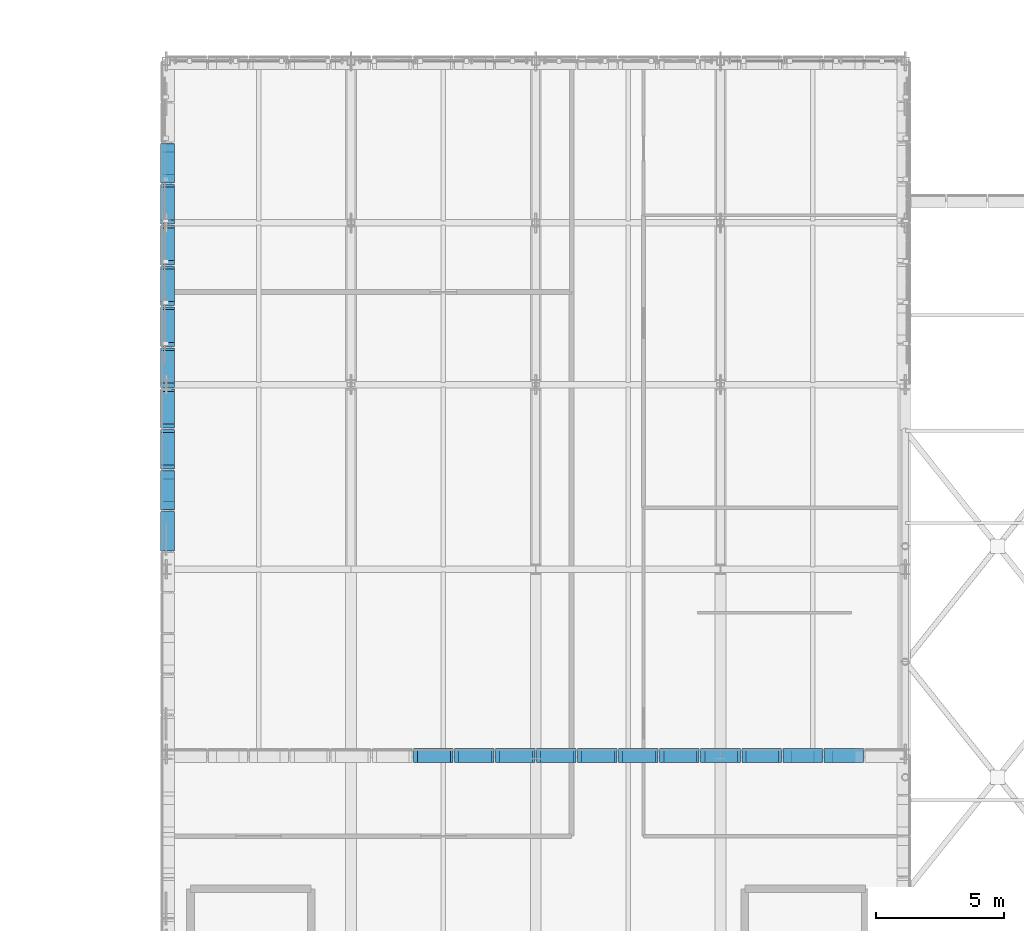
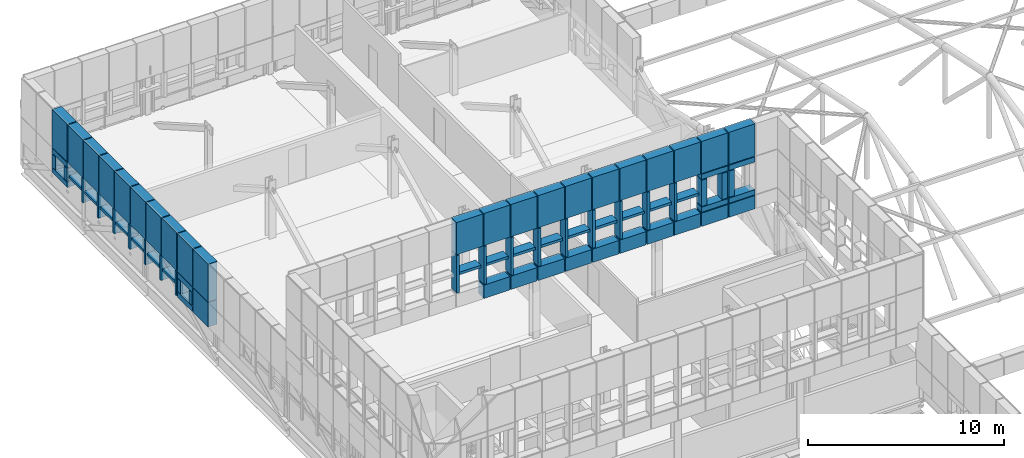
# One storey, part 70 of 96: 79 discrete accessories.
"""IFC4 building model written with IfcOpenShell, lengths in metres."""

import ifcopenshell
import ifcopenshell.guid

model = None  # the IFC model being written
_history = None  # IfcOwnerHistory: only IFC2X3 demands one
_inside = {}  # id of a spatial element -> (the spatial element, [elements in it])
_under = {}  # id of a project, library or spatial element -> (it, [spatial elements below it])
_declared = {}  # id of a project -> (the project, [libraries it declares])
_typed = {}  # id of a type object -> (the type object, [elements of that type])
_made_of = {}  # id of a material, layer set ... -> (it, [elements and type objects made of it])


def new_model(schema):
    """Start an empty IFC model of exactly this schema.

    Asked for "IFC4X3", IfcOpenShell would pick the latest addendum, in which some entities
    have other attributes; the version numbers below select the first issue.
    IFC2X3 requires an IfcOwnerHistory on every rooted entity: one is made here for all.
    """
    global model, _history
    if schema == "IFC4X3":
        model = ifcopenshell.file(schema_version=(4, 3, 0, 0))
    else:
        model = ifcopenshell.file(schema=schema)
    _inside.clear()
    _under.clear()
    _declared.clear()
    _typed.clear()
    _made_of.clear()
    _history = None
    if model.schema == "IFC2X3":
        org = make("IfcOrganization", Name="unknown")
        user = make(
            "IfcPersonAndOrganization",
            ThePerson=make("IfcPerson", FamilyName="unknown"),
            TheOrganization=org,
        )
        app = make(
            "IfcApplication",
            ApplicationDeveloper=org,
            Version="unknown",
            ApplicationFullName="unknown",
            ApplicationIdentifier="unknown",
        )
        _history = make(
            "IfcOwnerHistory",
            OwningUser=user,
            OwningApplication=app,
            ChangeAction="ADDED",
            CreationDate=0,
        )
    return model


def make(cls, **values):
    """One entity of the class cls with the attributes given. An attribute that is None is left unset."""
    return model.create_entity(
        cls, **{name: value for name, value in values.items() if value is not None}
    )


def rooted(cls, **values):
    """An entity with a GlobalId (a new one), such as an element, a storey or a relation."""
    return make(cls, GlobalId=ifcopenshell.guid.new(), OwnerHistory=_history, **values)


def si_unit(unit_type, name, prefix=None):
    """IfcSIUnit, for example si_unit("LENGTHUNIT", "METRE", prefix="MILLI")."""
    return make("IfcSIUnit", UnitType=unit_type, Prefix=prefix, Name=name)


def assignment(units):
    """IfcUnitAssignment: the units of a project."""
    return None if units is None else make("IfcUnitAssignment", Units=units)


def point(xyz):
    """IfcCartesianPoint."""
    return None if xyz is None else make("IfcCartesianPoint", Coordinates=xyz)


def direction(xyz):
    """IfcDirection."""
    return None if xyz is None else make("IfcDirection", DirectionRatios=xyz)


def frame(location, z_axis=None, x_axis=None):
    """IfcAxis2Placement3D, a coordinate frame: its origin and axes. An axis left out is left unset."""
    return make(
        "IfcAxis2Placement3D",
        Location=point(location),
        Axis=direction(z_axis),
        RefDirection=direction(x_axis),
    )


def frame_2d(location, x_axis=None):
    """IfcAxis2Placement2D, a coordinate frame in the plane: its origin and x axis."""
    return make(
        "IfcAxis2Placement2D", Location=point(location), RefDirection=direction(x_axis)
    )


def origin():
    """The frame at (0, 0, 0) with its axes left unset."""
    return frame((0.0, 0.0, 0.0))


def origin_2d():
    """The frame at (0, 0) in the plane with its x axis left unset."""
    return frame_2d((0.0, 0.0))


def place(relative_to, where):
    """IfcLocalPlacement: puts the frame where relative to a parent placement (None: the world)."""
    return make(
        "IfcLocalPlacement", PlacementRelTo=relative_to, RelativePlacement=where
    )


def context(
    kind, dimensions, precision=None, world=None, true_north=None, identifier=None
):
    """IfcGeometricRepresentationContext, for example the 3D "Model" context."""
    return make(
        "IfcGeometricRepresentationContext",
        ContextIdentifier=identifier,
        ContextType=kind,
        CoordinateSpaceDimension=dimensions,
        Precision=precision,
        WorldCoordinateSystem=world,
        TrueNorth=true_north,
    )


def subcontext(parent, identifier, kind, view, scale=None):
    """IfcGeometricRepresentationSubContext, for example "Body" below "Model"."""
    return make(
        "IfcGeometricRepresentationSubContext",
        ContextIdentifier=identifier,
        ContextType=kind,
        ParentContext=parent,
        TargetScale=scale,
        TargetView=view,
    )


def project(units=None, contexts=None):
    """IfcProject with its units and contexts."""
    return rooted(
        "IfcProject",
        Name="project",
        RepresentationContexts=contexts,
        UnitsInContext=assignment(units),
    )


def spatial(cls, under=None, at=None, **own):
    """A site, building, storey or space (cls), placed at a placement, below another one or the project."""
    s = rooted(cls, ObjectPlacement=at, **own)
    if under is not None:
        _under.setdefault(under.id(), (under, []))[1].append(s)
    return s


def profile(cls, at=None, kind="AREA", **sizes):
    """A parametric profile (cls). Its sizes go by their IFC names, for example OverallWidth=200.0."""
    return make(cls, ProfileType=kind, Position=at, **sizes)


def rectangle(**sizes):
    """IfcRectangleProfileDef."""
    return profile("IfcRectangleProfileDef", **sizes)


def extrude(swept, where, along, depth):
    """IfcExtrudedAreaSolid: the profile swept, set in the frame where, extruded along a direction by depth."""
    return make(
        "IfcExtrudedAreaSolid",
        SweptArea=swept,
        Position=where,
        ExtrudedDirection=direction(along),
        Depth=depth,
    )


def shape(context_of_items, identifier, shape_type, items):
    """IfcShapeRepresentation: the items that make up one representation, for example the "Body"."""
    return make(
        "IfcShapeRepresentation",
        ContextOfItems=context_of_items,
        RepresentationIdentifier=identifier,
        RepresentationType=shape_type,
        Items=items,
    )


def material(Name=None, Category=None):
    """IfcMaterial."""
    return make("IfcMaterial", Name=Name, Category=Category)


def made_of(thing, what):
    """Note that an element or type object is made of a material, layer set ...; save() writes the relation."""
    if what is not None:
        _made_of.setdefault(what.id(), (what, []))[1].append(thing)
    return thing


def type_object(cls, material=None, **own):
    """A type object (cls), such as IfcWallType, which elements share."""
    return made_of(rooted(cls, **own), material)


def element(
    cls,
    number,
    at=None,
    inside=None,
    cuts=None,
    type_object=None,
    material=None,
    context=None,
    identifier="Body",
    shape_type=None,
    held_by="IfcProductDefinitionShape",
    body=None,
    shapes=None,
    **own,
):
    """One element of the class cls, such as IfcWall. Its Tag is "e" and its number.

    at: its placement. inside: the storey or other place that contains it. cuts: it is an
    opening in that element (IfcRelVoidsElement). A single representation is given by context,
    identifier, shape_type and body (its items); several are given by shapes. held_by: the class
    of the entity that holds the representations. save() writes the other relations.
    """
    e = rooted(cls, Tag="e%d" % number, ObjectPlacement=at, **own)
    if body is not None:
        shapes = [shape(context, identifier, shape_type, body)]
    if shapes is not None:
        e.Representation = make(held_by, Representations=shapes)
    if inside is not None:
        _inside.setdefault(inside.id(), (inside, []))[1].append(e)
    if cuts is not None:
        rooted(
            "IfcRelVoidsElement", RelatingBuildingElement=cuts, RelatedOpeningElement=e
        )
    if type_object is not None:
        _typed.setdefault(type_object.id(), (type_object, []))[1].append(e)
    return made_of(e, material)


def aggregate(whole, parts):
    """IfcRelAggregates: a whole, such as a stair, and the parts it consists of."""
    return rooted("IfcRelAggregates", RelatingObject=whole, RelatedObjects=parts)


def save(model, path):
    """Write the relations noted so far, then the file.

    IfcRelAggregates (storeys below a building ...), IfcRelContainedInSpatialStructure (elements
    in a storey), IfcRelDefinesByType, IfcRelAssociatesMaterial and IfcRelDeclares: one each for
    every whole, place, type object, material and project.
    """
    for whole, parts in _under.values():
        aggregate(whole, parts)
    for where, things in _inside.values():
        rooted(
            "IfcRelContainedInSpatialStructure",
            RelatedElements=things,
            RelatingStructure=where,
        )
    for kind, things in _typed.values():
        rooted("IfcRelDefinesByType", RelatedObjects=things, RelatingType=kind)
    for what, things in _made_of.values():
        rooted("IfcRelAssociatesMaterial", RelatedObjects=things, RelatingMaterial=what)
    for by, libraries in _declared.values():
        rooted("IfcRelDeclares", RelatingContext=by, RelatedDefinitions=libraries)
    model.write(path)


model = new_model("IFC4")

# Units and contexts
model_context = context("Model", 3, precision=1e-05, world=origin(), true_north=direction((0.0, 1.0)))
body_context = subcontext(model_context, "Body", "Model", "MODEL_VIEW")
ifc_project = project(units=[si_unit("LENGTHUNIT", "METRE"), si_unit("AREAUNIT", "SQUARE_METRE"), si_unit("VOLUMEUNIT", "CUBIC_METRE"), si_unit("PLANEANGLEUNIT", "RADIAN"), si_unit("MASSUNIT", "GRAM", prefix="KILO")], contexts=[model_context])

# Site, building, storey
site_placement = place(None, origin())
site = spatial("IfcSite", under=ifc_project, at=site_placement, CompositionType="ELEMENT")
building_placement = place(site_placement, origin())
building = spatial("IfcBuilding", under=site, at=building_placement, Name="Yarey Park Central Fire Station", CompositionType="ELEMENT")
storey_placement = place(building_placement, frame((0.0, 0.0, 14.39990234375)))
storey = spatial("IfcBuildingStorey", under=building, at=storey_placement, Name="L04", CompositionType="ELEMENT", Elevation=14.39990234375)

# Discrete accessories
ifc_material = material(Name="Stainless Steel AISI 316L", Category="steel")
discrete_accessory_type = type_object("IfcDiscreteAccessoryType", Name="ENV_BRK_SS1", PredefinedType="BRACKET", material=ifc_material)
discrete_accessory_1_placement = place(storey_placement, frame((28.85009765625, 80.6884765625, 0.875), z_axis=(0.0, 0.0, 1.0), x_axis=(1.0, 0.0, 0.0)))
element("IfcDiscreteAccessory", 1, at=discrete_accessory_1_placement, inside=storey, type_object=discrete_accessory_type, Name="BRK_PERF_L04_0700", PredefinedType="BRACKET", context=body_context, shape_type="SweptSolid", body=[
    extrude(rectangle(XDim=0.5400390625, YDim=1.5322265625, at=origin_2d()), origin(), (0.0, 0.0, 1.0), 1.52001953125),
])
discrete_accessory_2_placement = place(storey_placement, frame((28.85009765625, 80.6884765625, 2.445068359375), z_axis=(0.0, 0.0, 1.0), x_axis=(1.0, 0.0, 0.0)))
element("IfcDiscreteAccessory", 2, at=discrete_accessory_2_placement, inside=storey, type_object=discrete_accessory_type, Name="BRK_PERF_L04_0701", PredefinedType="BRACKET", context=body_context, shape_type="SweptSolid", body=[
    extrude(rectangle(XDim=0.5400390625, YDim=1.5322265625, at=origin_2d()), origin(), (0.0, 0.0, 1.0), 2.35009765625),
])
for number, where, z_axis, x_axis, name in (
    (3, (28.85009765625, 82.28076171875, 0.8701171875), (0.0, 0.0, 1.0), (1.0, 0.0, 0.0), "BRK_PERF_L04_0708"),
    (4, (28.85009765625, 82.28076171875, 2.080078125), (0.0, 0.0, 1.0), (1.0, 0.0, 0.0), "BRK_PERF_L04_0709"),
):
    element("IfcDiscreteAccessory", number, at=place(storey_placement, frame(where, z_axis=z_axis, x_axis=x_axis)), inside=storey, type_object=discrete_accessory_type, Name=name, PredefinedType="BRACKET", context=body_context, shape_type="SweptSolid", body=[
        extrude(rectangle(XDim=0.5400390625, YDim=1.5322265625, at=origin_2d()), origin(), (0.0, 0.0, 1.0), 0.320068359375),
    ])
for number, where, z_axis, x_axis, name in (
    (5, (28.85009765625, 81.684814453125, 1.23486328125), (0.0, 0.0, 1.0), (1.0, 0.0, 0.0), "BRK_PERF_L04_0710"),
    (6, (28.85009765625, 82.876953125, 1.23486328125), (0.0, 0.0, 1.0), (1.0, 0.0, 0.0), "BRK_PERF_L04_0711"),
):
    element("IfcDiscreteAccessory", number, at=place(storey_placement, frame(where, z_axis=z_axis, x_axis=x_axis)), inside=storey, type_object=discrete_accessory_type, Name=name, PredefinedType="BRACKET", context=body_context, shape_type="SweptSolid", body=[
        extrude(rectangle(XDim=0.5400390625, YDim=0.320068359375, at=origin_2d()), origin(), (0.0, 0.0, 1.0), 0.800048828125),
    ])
discrete_accessory_3_placement = place(storey_placement, frame((28.85009765625, 82.28076171875, 2.445068359375), z_axis=(0.0, 0.0, 1.0), x_axis=(1.0, 0.0, 0.0)))
element("IfcDiscreteAccessory", 7, at=discrete_accessory_3_placement, inside=storey, type_object=discrete_accessory_type, Name="BRK_PERF_L04_0712", PredefinedType="BRACKET", context=body_context, shape_type="SweptSolid", body=[
    extrude(rectangle(XDim=0.5400390625, YDim=1.5322265625, at=origin_2d()), origin(), (0.0, 0.0, 1.0), 2.35009765625),
])
discrete_accessory_4_placement = place(storey_placement, frame((28.85009765625, 83.18701171875, 0.875), z_axis=(0.0, 0.0, 1.0), x_axis=(1.0, 0.0, 0.0)))
element("IfcDiscreteAccessory", 8, at=discrete_accessory_4_placement, inside=storey, type_object=discrete_accessory_type, Name="BRK_PERF_L04_0717", PredefinedType="BRACKET", context=body_context, shape_type="SweptSolid", body=[
    extrude(rectangle(XDim=0.5400390625, YDim=0.159912109375, at=origin_2d()), origin(), (0.0, 0.0, 1.0), 1.52001953125),
])
discrete_accessory_5_placement = place(storey_placement, frame((28.85009765625, 83.873046875, 1.55517578125), z_axis=(0.0, 0.0, 1.0), x_axis=(1.0, 0.0, 0.0)))
element("IfcDiscreteAccessory", 9, at=discrete_accessory_5_placement, inside=storey, type_object=discrete_accessory_type, Name="BRK_PERF_L04_0718", PredefinedType="BRACKET", context=body_context, shape_type="SweptSolid", body=[
    extrude(rectangle(XDim=0.5400390625, YDim=1.332275390625, at=origin_2d()), origin(), (0.0, 0.0, 1.0), 0.159912109375),
])
discrete_accessory_6_placement = place(storey_placement, frame((28.85009765625, 83.873046875, 2.445068359375), z_axis=(0.0, 0.0, 1.0), x_axis=(1.0, 0.0, 0.0)))
element("IfcDiscreteAccessory", 10, at=discrete_accessory_6_placement, inside=storey, type_object=discrete_accessory_type, Name="BRK_PERF_L04_0719", PredefinedType="BRACKET", context=body_context, shape_type="SweptSolid", body=[
    extrude(rectangle(XDim=0.5400390625, YDim=1.5322265625, at=origin_2d()), origin(), (0.0, 0.0, 1.0), 2.35009765625),
])
discrete_accessory_7_placement = place(storey_placement, frame((28.85009765625, 84.779296875, 0.875), z_axis=(0.0, 0.0, 1.0), x_axis=(1.0, 0.0, 0.0)))
element("IfcDiscreteAccessory", 11, at=discrete_accessory_7_placement, inside=storey, type_object=discrete_accessory_type, Name="BRK_PERF_L04_0724", PredefinedType="BRACKET", context=body_context, shape_type="SweptSolid", body=[
    extrude(rectangle(XDim=0.5400390625, YDim=0.159912109375, at=origin_2d()), origin(), (0.0, 0.0, 1.0), 1.52001953125),
])
discrete_accessory_8_placement = place(storey_placement, frame((28.85009765625, 85.46533203125, 1.55517578125), z_axis=(0.0, 0.0, 1.0), x_axis=(1.0, 0.0, 0.0)))
element("IfcDiscreteAccessory", 12, at=discrete_accessory_8_placement, inside=storey, type_object=discrete_accessory_type, Name="BRK_PERF_L04_0725", PredefinedType="BRACKET", context=body_context, shape_type="SweptSolid", body=[
    extrude(rectangle(XDim=0.5400390625, YDim=1.332275390625, at=origin_2d()), origin(), (0.0, 0.0, 1.0), 0.159912109375),
])
discrete_accessory_9_placement = place(storey_placement, frame((28.85009765625, 85.46533203125, 2.445068359375), z_axis=(0.0, 0.0, 1.0), x_axis=(1.0, 0.0, 0.0)))
element("IfcDiscreteAccessory", 13, at=discrete_accessory_9_placement, inside=storey, type_object=discrete_accessory_type, Name="BRK_PERF_L04_0726", PredefinedType="BRACKET", context=body_context, shape_type="SweptSolid", body=[
    extrude(rectangle(XDim=0.5400390625, YDim=1.5322265625, at=origin_2d()), origin(), (0.0, 0.0, 1.0), 2.35009765625),
])
discrete_accessory_10_placement = place(storey_placement, frame((28.85009765625, 86.37158203125, 0.875), z_axis=(0.0, 0.0, 1.0), x_axis=(1.0, 0.0, 0.0)))
element("IfcDiscreteAccessory", 14, at=discrete_accessory_10_placement, inside=storey, type_object=discrete_accessory_type, Name="BRK_PERF_L04_0731", PredefinedType="BRACKET", context=body_context, shape_type="SweptSolid", body=[
    extrude(rectangle(XDim=0.5400390625, YDim=0.159912109375, at=origin_2d()), origin(), (0.0, 0.0, 1.0), 1.52001953125),
])
discrete_accessory_11_placement = place(storey_placement, frame((28.85009765625, 87.0576171875, 1.55517578125), z_axis=(0.0, 0.0, 1.0), x_axis=(1.0, 0.0, 0.0)))
element("IfcDiscreteAccessory", 15, at=discrete_accessory_11_placement, inside=storey, type_object=discrete_accessory_type, Name="BRK_PERF_L04_0732", PredefinedType="BRACKET", context=body_context, shape_type="SweptSolid", body=[
    extrude(rectangle(XDim=0.5400390625, YDim=1.332275390625, at=origin_2d()), origin(), (0.0, 0.0, 1.0), 0.159912109375),
])
discrete_accessory_12_placement = place(storey_placement, frame((28.85009765625, 87.0576171875, 2.445068359375), z_axis=(0.0, 0.0, 1.0), x_axis=(1.0, 0.0, 0.0)))
element("IfcDiscreteAccessory", 16, at=discrete_accessory_12_placement, inside=storey, type_object=discrete_accessory_type, Name="BRK_PERF_L04_0733", PredefinedType="BRACKET", context=body_context, shape_type="SweptSolid", body=[
    extrude(rectangle(XDim=0.5400390625, YDim=1.5322265625, at=origin_2d()), origin(), (0.0, 0.0, 1.0), 2.35009765625),
])
discrete_accessory_13_placement = place(storey_placement, frame((28.85009765625, 87.9638671875, 0.875), z_axis=(0.0, 0.0, 1.0), x_axis=(1.0, 0.0, 0.0)))
element("IfcDiscreteAccessory", 17, at=discrete_accessory_13_placement, inside=storey, type_object=discrete_accessory_type, Name="BRK_PERF_L04_0738", PredefinedType="BRACKET", context=body_context, shape_type="SweptSolid", body=[
    extrude(rectangle(XDim=0.5400390625, YDim=0.159912109375, at=origin_2d()), origin(), (0.0, 0.0, 1.0), 1.52001953125),
])
discrete_accessory_14_placement = place(storey_placement, frame((28.85009765625, 88.64990234375, 1.55517578125), z_axis=(0.0, 0.0, 1.0), x_axis=(1.0, 0.0, 0.0)))
element("IfcDiscreteAccessory", 18, at=discrete_accessory_14_placement, inside=storey, type_object=discrete_accessory_type, Name="BRK_PERF_L04_0739", PredefinedType="BRACKET", context=body_context, shape_type="SweptSolid", body=[
    extrude(rectangle(XDim=0.5400390625, YDim=1.332275390625, at=origin_2d()), origin(), (0.0, 0.0, 1.0), 0.159912109375),
])
discrete_accessory_15_placement = place(storey_placement, frame((28.85009765625, 88.64990234375, 2.445068359375), z_axis=(0.0, 0.0, 1.0), x_axis=(1.0, 0.0, 0.0)))
element("IfcDiscreteAccessory", 19, at=discrete_accessory_15_placement, inside=storey, type_object=discrete_accessory_type, Name="BRK_PERF_L04_0740", PredefinedType="BRACKET", context=body_context, shape_type="SweptSolid", body=[
    extrude(rectangle(XDim=0.5400390625, YDim=1.5322265625, at=origin_2d()), origin(), (0.0, 0.0, 1.0), 2.35009765625),
])
discrete_accessory_16_placement = place(storey_placement, frame((28.85009765625, 89.55615234375, 0.875), z_axis=(0.0, 0.0, 1.0), x_axis=(1.0, 0.0, 0.0)))
element("IfcDiscreteAccessory", 20, at=discrete_accessory_16_placement, inside=storey, type_object=discrete_accessory_type, Name="BRK_PERF_L04_0745", PredefinedType="BRACKET", context=body_context, shape_type="SweptSolid", body=[
    extrude(rectangle(XDim=0.5400390625, YDim=0.159912109375, at=origin_2d()), origin(), (0.0, 0.0, 1.0), 1.52001953125),
])
discrete_accessory_17_placement = place(storey_placement, frame((28.85009765625, 90.2421875, 1.55517578125), z_axis=(0.0, 0.0, 1.0), x_axis=(1.0, 0.0, 0.0)))
element("IfcDiscreteAccessory", 21, at=discrete_accessory_17_placement, inside=storey, type_object=discrete_accessory_type, Name="BRK_PERF_L04_0746", PredefinedType="BRACKET", context=body_context, shape_type="SweptSolid", body=[
    extrude(rectangle(XDim=0.5400390625, YDim=1.332275390625, at=origin_2d()), origin(), (0.0, 0.0, 1.0), 0.159912109375),
])
discrete_accessory_18_placement = place(storey_placement, frame((28.85009765625, 90.2421875, 2.445068359375), z_axis=(0.0, 0.0, 1.0), x_axis=(1.0, 0.0, 0.0)))
element("IfcDiscreteAccessory", 22, at=discrete_accessory_18_placement, inside=storey, type_object=discrete_accessory_type, Name="BRK_PERF_L04_0747", PredefinedType="BRACKET", context=body_context, shape_type="SweptSolid", body=[
    extrude(rectangle(XDim=0.5400390625, YDim=1.5322265625, at=origin_2d()), origin(), (0.0, 0.0, 1.0), 2.35009765625),
])
discrete_accessory_19_placement = place(storey_placement, frame((28.85009765625, 91.1484375, 0.875), z_axis=(0.0, 0.0, 1.0), x_axis=(1.0, 0.0, 0.0)))
element("IfcDiscreteAccessory", 23, at=discrete_accessory_19_placement, inside=storey, type_object=discrete_accessory_type, Name="BRK_PERF_L04_0752", PredefinedType="BRACKET", context=body_context, shape_type="SweptSolid", body=[
    extrude(rectangle(XDim=0.5400390625, YDim=0.159912109375, at=origin_2d()), origin(), (0.0, 0.0, 1.0), 1.52001953125),
])
discrete_accessory_20_placement = place(storey_placement, frame((28.85009765625, 91.834716796875, 1.55517578125), z_axis=(0.0, 0.0, 1.0), x_axis=(1.0, 0.0, 0.0)))
element("IfcDiscreteAccessory", 24, at=discrete_accessory_20_placement, inside=storey, type_object=discrete_accessory_type, Name="BRK_PERF_L04_0753", PredefinedType="BRACKET", context=body_context, shape_type="SweptSolid", body=[
    extrude(rectangle(XDim=0.5400390625, YDim=1.332275390625, at=origin_2d()), origin(), (0.0, 0.0, 1.0), 0.159912109375),
])
discrete_accessory_21_placement = place(storey_placement, frame((28.85009765625, 91.834716796875, 2.445068359375), z_axis=(0.0, 0.0, 1.0), x_axis=(1.0, 0.0, 0.0)))
element("IfcDiscreteAccessory", 25, at=discrete_accessory_21_placement, inside=storey, type_object=discrete_accessory_type, Name="BRK_PERF_L04_0754", PredefinedType="BRACKET", context=body_context, shape_type="SweptSolid", body=[
    extrude(rectangle(XDim=0.5400390625, YDim=1.5322265625, at=origin_2d()), origin(), (0.0, 0.0, 1.0), 2.35009765625),
])
discrete_accessory_22_placement = place(storey_placement, frame((28.85009765625, 92.74072265625, 0.875), z_axis=(0.0, 0.0, 1.0), x_axis=(1.0, 0.0, 0.0)))
element("IfcDiscreteAccessory", 26, at=discrete_accessory_22_placement, inside=storey, type_object=discrete_accessory_type, Name="BRK_PERF_L04_0759", PredefinedType="BRACKET", context=body_context, shape_type="SweptSolid", body=[
    extrude(rectangle(XDim=0.5400390625, YDim=0.159912109375, at=origin_2d()), origin(), (0.0, 0.0, 1.0), 1.52001953125),
])
discrete_accessory_23_placement = place(storey_placement, frame((28.85009765625, 93.427001953125, 1.55517578125), z_axis=(0.0, 0.0, 1.0), x_axis=(1.0, 0.0, 0.0)))
element("IfcDiscreteAccessory", 27, at=discrete_accessory_23_placement, inside=storey, type_object=discrete_accessory_type, Name="BRK_PERF_L04_0760", PredefinedType="BRACKET", context=body_context, shape_type="SweptSolid", body=[
    extrude(rectangle(XDim=0.5400390625, YDim=1.332275390625, at=origin_2d()), origin(), (0.0, 0.0, 1.0), 0.159912109375),
])
discrete_accessory_24_placement = place(storey_placement, frame((28.85009765625, 93.427001953125, 2.445068359375), z_axis=(0.0, 0.0, 1.0), x_axis=(1.0, 0.0, 0.0)))
element("IfcDiscreteAccessory", 28, at=discrete_accessory_24_placement, inside=storey, type_object=discrete_accessory_type, Name="BRK_PERF_L04_0761", PredefinedType="BRACKET", context=body_context, shape_type="SweptSolid", body=[
    extrude(rectangle(XDim=0.5400390625, YDim=1.5322265625, at=origin_2d()), origin(), (0.0, 0.0, 1.0), 2.35009765625),
])
for number, where, z_axis, x_axis, name in (
    (29, (28.85009765625, 95.019287109375, 0.8701171875), (0.0, 0.0, 1.0), (1.0, 0.0, 0.0), "BRK_PERF_L04_0768"),
    (30, (28.85009765625, 95.019287109375, 2.080078125), (0.0, 0.0, 1.0), (1.0, 0.0, 0.0), "BRK_PERF_L04_0769"),
):
    element("IfcDiscreteAccessory", number, at=place(storey_placement, frame(where, z_axis=z_axis, x_axis=x_axis)), inside=storey, type_object=discrete_accessory_type, Name=name, PredefinedType="BRACKET", context=body_context, shape_type="SweptSolid", body=[
        extrude(rectangle(XDim=0.5400390625, YDim=1.5322265625, at=origin_2d()), origin(), (0.0, 0.0, 1.0), 0.320068359375),
    ])
for number, where, z_axis, x_axis, name in (
    (31, (28.85009765625, 94.423095703125, 1.23486328125), (0.0, 0.0, 1.0), (1.0, 0.0, 0.0), "BRK_PERF_L04_0770"),
    (32, (28.85009765625, 95.615234375, 1.23486328125), (0.0, 0.0, 1.0), (1.0, 0.0, 0.0), "BRK_PERF_L04_0771"),
):
    element("IfcDiscreteAccessory", number, at=place(storey_placement, frame(where, z_axis=z_axis, x_axis=x_axis)), inside=storey, type_object=discrete_accessory_type, Name=name, PredefinedType="BRACKET", context=body_context, shape_type="SweptSolid", body=[
        extrude(rectangle(XDim=0.5400390625, YDim=0.320068359375, at=origin_2d()), origin(), (0.0, 0.0, 1.0), 0.800048828125),
    ])
discrete_accessory_25_placement = place(storey_placement, frame((28.85009765625, 95.019287109375, 2.445068359375), z_axis=(0.0, 0.0, 1.0), x_axis=(1.0, 0.0, 0.0)))
element("IfcDiscreteAccessory", 33, at=discrete_accessory_25_placement, inside=storey, type_object=discrete_accessory_type, Name="BRK_PERF_L04_0772", PredefinedType="BRACKET", context=body_context, shape_type="SweptSolid", body=[
    extrude(rectangle(XDim=0.5400390625, YDim=1.5322265625, at=origin_2d()), origin(), (0.0, 0.0, 1.0), 2.35009765625),
])
discrete_accessory_26_placement = place(storey_placement, frame((38.510009765625, 71.949951171875, 4.525146484375), z_axis=(0.0, 0.0, 1.0), x_axis=(1.0, 0.0, 0.0)))
element("IfcDiscreteAccessory", 34, at=discrete_accessory_26_placement, inside=storey, type_object=discrete_accessory_type, Name="BRK_PERF_L04_1228", PredefinedType="BRACKET", context=body_context, shape_type="SweptSolid", body=[
    extrude(rectangle(XDim=0.159912109375, YDim=0.5400390625, at=origin_2d()), origin(), (0.0, 0.0, 1.0), 2.35009765625),
])
discrete_accessory_27_placement = place(storey_placement, frame((39.199951171875, 71.949951171875, 5.6201171875), z_axis=(0.0, 0.0, 1.0), x_axis=(1.0, 0.0, 0.0)))
element("IfcDiscreteAccessory", 35, at=discrete_accessory_27_placement, inside=storey, type_object=discrete_accessory_type, Name="BRK_PERF_L04_1229", PredefinedType="BRACKET", context=body_context, shape_type="SweptSolid", body=[
    extrude(rectangle(XDim=1.340087890625, YDim=0.5400390625, at=origin_2d()), origin(), (0.0, 0.0, 1.0), 0.159912109375),
])
discrete_accessory_28_placement = place(storey_placement, frame((39.199951171875, 71.949951171875, 6.925048828125), z_axis=(0.0, 0.0, 1.0), x_axis=(1.0, 0.0, 0.0)))
element("IfcDiscreteAccessory", 36, at=discrete_accessory_28_placement, inside=storey, type_object=discrete_accessory_type, Name="BRK_PERF_L04_1230", PredefinedType="BRACKET", context=body_context, shape_type="SweptSolid", body=[
    extrude(rectangle(XDim=1.5400390625, YDim=0.5400390625, at=origin_2d()), origin(), (0.0, 0.0, 1.0), 2.0),
])
discrete_accessory_29_placement = place(storey_placement, frame((40.800048828125, 71.949951171875, 3.64501953125), z_axis=(0.0, 0.0, 1.0), x_axis=(1.0, 0.0, 0.0)))
element("IfcDiscreteAccessory", 37, at=discrete_accessory_29_placement, inside=storey, type_object=discrete_accessory_type, Name="BRK_PERF_L04_1231", PredefinedType="BRACKET", context=body_context, shape_type="SweptSolid", body=[
    extrude(rectangle(XDim=1.5400390625, YDim=0.5400390625, at=origin_2d()), origin(), (0.0, 0.0, 1.0), 0.830078125),
])
discrete_accessory_30_placement = place(storey_placement, frame((40.110107421875, 71.949951171875, 4.525146484375), z_axis=(0.0, 0.0, 1.0), x_axis=(1.0, 0.0, 0.0)))
element("IfcDiscreteAccessory", 38, at=discrete_accessory_30_placement, inside=storey, type_object=discrete_accessory_type, Name="BRK_PERF_L04_1232", PredefinedType="BRACKET", context=body_context, shape_type="SweptSolid", body=[
    extrude(rectangle(XDim=0.159912109375, YDim=0.5400390625, at=origin_2d()), origin(), (0.0, 0.0, 1.0), 2.35009765625),
])
discrete_accessory_31_placement = place(storey_placement, frame((40.800048828125, 71.949951171875, 5.6201171875), z_axis=(0.0, 0.0, 1.0), x_axis=(1.0, 0.0, 0.0)))
element("IfcDiscreteAccessory", 39, at=discrete_accessory_31_placement, inside=storey, type_object=discrete_accessory_type, Name="BRK_PERF_L04_1233", PredefinedType="BRACKET", context=body_context, shape_type="SweptSolid", body=[
    extrude(rectangle(XDim=1.340087890625, YDim=0.5400390625, at=origin_2d()), origin(), (0.0, 0.0, 1.0), 0.159912109375),
])
discrete_accessory_32_placement = place(storey_placement, frame((40.800048828125, 71.949951171875, 6.925048828125), z_axis=(0.0, 0.0, 1.0), x_axis=(1.0, 0.0, 0.0)))
element("IfcDiscreteAccessory", 40, at=discrete_accessory_32_placement, inside=storey, type_object=discrete_accessory_type, Name="BRK_PERF_L04_1234", PredefinedType="BRACKET", context=body_context, shape_type="SweptSolid", body=[
    extrude(rectangle(XDim=1.5400390625, YDim=0.5400390625, at=origin_2d()), origin(), (0.0, 0.0, 1.0), 2.0),
])
discrete_accessory_33_placement = place(storey_placement, frame((42.39990234375, 71.949951171875, 3.64501953125), z_axis=(0.0, 0.0, 1.0), x_axis=(1.0, 0.0, 0.0)))
element("IfcDiscreteAccessory", 41, at=discrete_accessory_33_placement, inside=storey, type_object=discrete_accessory_type, Name="BRK_PERF_L04_1235", PredefinedType="BRACKET", context=body_context, shape_type="SweptSolid", body=[
    extrude(rectangle(XDim=1.5400390625, YDim=0.5400390625, at=origin_2d()), origin(), (0.0, 0.0, 1.0), 0.830078125),
])
discrete_accessory_34_placement = place(storey_placement, frame((41.7099609375, 71.949951171875, 4.525146484375), z_axis=(0.0, 0.0, 1.0), x_axis=(1.0, 0.0, 0.0)))
element("IfcDiscreteAccessory", 42, at=discrete_accessory_34_placement, inside=storey, type_object=discrete_accessory_type, Name="BRK_PERF_L04_1236", PredefinedType="BRACKET", context=body_context, shape_type="SweptSolid", body=[
    extrude(rectangle(XDim=0.159912109375, YDim=0.5400390625, at=origin_2d()), origin(), (0.0, 0.0, 1.0), 2.35009765625),
])
discrete_accessory_35_placement = place(storey_placement, frame((42.39990234375, 71.949951171875, 5.6201171875), z_axis=(0.0, 0.0, 1.0), x_axis=(1.0, 0.0, 0.0)))
element("IfcDiscreteAccessory", 43, at=discrete_accessory_35_placement, inside=storey, type_object=discrete_accessory_type, Name="BRK_PERF_L04_1237", PredefinedType="BRACKET", context=body_context, shape_type="SweptSolid", body=[
    extrude(rectangle(XDim=1.340087890625, YDim=0.5400390625, at=origin_2d()), origin(), (0.0, 0.0, 1.0), 0.159912109375),
])
discrete_accessory_36_placement = place(storey_placement, frame((42.39990234375, 71.949951171875, 6.925048828125), z_axis=(0.0, 0.0, 1.0), x_axis=(1.0, 0.0, 0.0)))
element("IfcDiscreteAccessory", 44, at=discrete_accessory_36_placement, inside=storey, type_object=discrete_accessory_type, Name="BRK_PERF_L04_1238", PredefinedType="BRACKET", context=body_context, shape_type="SweptSolid", body=[
    extrude(rectangle(XDim=1.5400390625, YDim=0.5400390625, at=origin_2d()), origin(), (0.0, 0.0, 1.0), 2.0),
])
discrete_accessory_37_placement = place(storey_placement, frame((44.0, 71.949951171875, 3.64501953125), z_axis=(0.0, 0.0, 1.0), x_axis=(1.0, 0.0, 0.0)))
element("IfcDiscreteAccessory", 45, at=discrete_accessory_37_placement, inside=storey, type_object=discrete_accessory_type, Name="BRK_PERF_L04_1239", PredefinedType="BRACKET", context=body_context, shape_type="SweptSolid", body=[
    extrude(rectangle(XDim=1.5400390625, YDim=0.5400390625, at=origin_2d()), origin(), (0.0, 0.0, 1.0), 0.830078125),
])
discrete_accessory_38_placement = place(storey_placement, frame((43.31005859375, 71.949951171875, 4.525146484375), z_axis=(0.0, 0.0, 1.0), x_axis=(1.0, 0.0, 0.0)))
element("IfcDiscreteAccessory", 46, at=discrete_accessory_38_placement, inside=storey, type_object=discrete_accessory_type, Name="BRK_PERF_L04_1240", PredefinedType="BRACKET", context=body_context, shape_type="SweptSolid", body=[
    extrude(rectangle(XDim=0.159912109375, YDim=0.5400390625, at=origin_2d()), origin(), (0.0, 0.0, 1.0), 2.35009765625),
])
discrete_accessory_39_placement = place(storey_placement, frame((44.0, 71.949951171875, 5.6201171875), z_axis=(0.0, 0.0, 1.0), x_axis=(1.0, 0.0, 0.0)))
element("IfcDiscreteAccessory", 47, at=discrete_accessory_39_placement, inside=storey, type_object=discrete_accessory_type, Name="BRK_PERF_L04_1241", PredefinedType="BRACKET", context=body_context, shape_type="SweptSolid", body=[
    extrude(rectangle(XDim=1.340087890625, YDim=0.5400390625, at=origin_2d()), origin(), (0.0, 0.0, 1.0), 0.159912109375),
])
discrete_accessory_40_placement = place(storey_placement, frame((44.0, 71.949951171875, 6.925048828125), z_axis=(0.0, 0.0, 1.0), x_axis=(1.0, 0.0, 0.0)))
element("IfcDiscreteAccessory", 48, at=discrete_accessory_40_placement, inside=storey, type_object=discrete_accessory_type, Name="BRK_PERF_L04_1242", PredefinedType="BRACKET", context=body_context, shape_type="SweptSolid", body=[
    extrude(rectangle(XDim=1.5400390625, YDim=0.5400390625, at=origin_2d()), origin(), (0.0, 0.0, 1.0), 2.0),
])
discrete_accessory_41_placement = place(storey_placement, frame((45.60009765625, 71.949951171875, 3.64501953125), z_axis=(0.0, 0.0, 1.0), x_axis=(1.0, 0.0, 0.0)))
element("IfcDiscreteAccessory", 49, at=discrete_accessory_41_placement, inside=storey, type_object=discrete_accessory_type, Name="BRK_PERF_L04_1243", PredefinedType="BRACKET", context=body_context, shape_type="SweptSolid", body=[
    extrude(rectangle(XDim=1.5400390625, YDim=0.5400390625, at=origin_2d()), origin(), (0.0, 0.0, 1.0), 0.830078125),
])
discrete_accessory_42_placement = place(storey_placement, frame((44.909912109375, 71.949951171875, 4.525146484375), z_axis=(0.0, 0.0, 1.0), x_axis=(1.0, 0.0, 0.0)))
element("IfcDiscreteAccessory", 50, at=discrete_accessory_42_placement, inside=storey, type_object=discrete_accessory_type, Name="BRK_PERF_L04_1244", PredefinedType="BRACKET", context=body_context, shape_type="SweptSolid", body=[
    extrude(rectangle(XDim=0.159912109375, YDim=0.5400390625, at=origin_2d()), origin(), (0.0, 0.0, 1.0), 2.35009765625),
])
discrete_accessory_43_placement = place(storey_placement, frame((45.60009765625, 71.949951171875, 5.6201171875), z_axis=(0.0, 0.0, 1.0), x_axis=(1.0, 0.0, 0.0)))
element("IfcDiscreteAccessory", 51, at=discrete_accessory_43_placement, inside=storey, type_object=discrete_accessory_type, Name="BRK_PERF_L04_1245", PredefinedType="BRACKET", context=body_context, shape_type="SweptSolid", body=[
    extrude(rectangle(XDim=1.340087890625, YDim=0.5400390625, at=origin_2d()), origin(), (0.0, 0.0, 1.0), 0.159912109375),
])
discrete_accessory_44_placement = place(storey_placement, frame((45.60009765625, 71.949951171875, 6.925048828125), z_axis=(0.0, 0.0, 1.0), x_axis=(1.0, 0.0, 0.0)))
element("IfcDiscreteAccessory", 52, at=discrete_accessory_44_placement, inside=storey, type_object=discrete_accessory_type, Name="BRK_PERF_L04_1246", PredefinedType="BRACKET", context=body_context, shape_type="SweptSolid", body=[
    extrude(rectangle(XDim=1.5400390625, YDim=0.5400390625, at=origin_2d()), origin(), (0.0, 0.0, 1.0), 2.0),
])
discrete_accessory_45_placement = place(storey_placement, frame((47.199951171875, 71.949951171875, 3.64501953125), z_axis=(0.0, 0.0, 1.0), x_axis=(1.0, 0.0, 0.0)))
element("IfcDiscreteAccessory", 53, at=discrete_accessory_45_placement, inside=storey, type_object=discrete_accessory_type, Name="BRK_PERF_L04_1247", PredefinedType="BRACKET", context=body_context, shape_type="SweptSolid", body=[
    extrude(rectangle(XDim=1.5400390625, YDim=0.5400390625, at=origin_2d()), origin(), (0.0, 0.0, 1.0), 0.830078125),
])
discrete_accessory_46_placement = place(storey_placement, frame((46.510009765625, 71.949951171875, 4.525146484375), z_axis=(0.0, 0.0, 1.0), x_axis=(1.0, 0.0, 0.0)))
element("IfcDiscreteAccessory", 54, at=discrete_accessory_46_placement, inside=storey, type_object=discrete_accessory_type, Name="BRK_PERF_L04_1248", PredefinedType="BRACKET", context=body_context, shape_type="SweptSolid", body=[
    extrude(rectangle(XDim=0.159912109375, YDim=0.5400390625, at=origin_2d()), origin(), (0.0, 0.0, 1.0), 2.35009765625),
])
discrete_accessory_47_placement = place(storey_placement, frame((47.199951171875, 71.949951171875, 5.6201171875), z_axis=(0.0, 0.0, 1.0), x_axis=(1.0, 0.0, 0.0)))
element("IfcDiscreteAccessory", 55, at=discrete_accessory_47_placement, inside=storey, type_object=discrete_accessory_type, Name="BRK_PERF_L04_1249", PredefinedType="BRACKET", context=body_context, shape_type="SweptSolid", body=[
    extrude(rectangle(XDim=1.340087890625, YDim=0.5400390625, at=origin_2d()), origin(), (0.0, 0.0, 1.0), 0.159912109375),
])
discrete_accessory_48_placement = place(storey_placement, frame((47.199951171875, 71.949951171875, 6.925048828125), z_axis=(0.0, 0.0, 1.0), x_axis=(1.0, 0.0, 0.0)))
element("IfcDiscreteAccessory", 56, at=discrete_accessory_48_placement, inside=storey, type_object=discrete_accessory_type, Name="BRK_PERF_L04_1250", PredefinedType="BRACKET", context=body_context, shape_type="SweptSolid", body=[
    extrude(rectangle(XDim=1.5400390625, YDim=0.5400390625, at=origin_2d()), origin(), (0.0, 0.0, 1.0), 2.0),
])
discrete_accessory_49_placement = place(storey_placement, frame((48.800048828125, 71.949951171875, 3.64501953125), z_axis=(0.0, 0.0, 1.0), x_axis=(1.0, 0.0, 0.0)))
element("IfcDiscreteAccessory", 57, at=discrete_accessory_49_placement, inside=storey, type_object=discrete_accessory_type, Name="BRK_PERF_L04_1251", PredefinedType="BRACKET", context=body_context, shape_type="SweptSolid", body=[
    extrude(rectangle(XDim=1.5400390625, YDim=0.5400390625, at=origin_2d()), origin(), (0.0, 0.0, 1.0), 0.830078125),
])
discrete_accessory_50_placement = place(storey_placement, frame((48.110107421875, 71.949951171875, 4.525146484375), z_axis=(0.0, 0.0, 1.0), x_axis=(1.0, 0.0, 0.0)))
element("IfcDiscreteAccessory", 58, at=discrete_accessory_50_placement, inside=storey, type_object=discrete_accessory_type, Name="BRK_PERF_L04_1252", PredefinedType="BRACKET", context=body_context, shape_type="SweptSolid", body=[
    extrude(rectangle(XDim=0.159912109375, YDim=0.5400390625, at=origin_2d()), origin(), (0.0, 0.0, 1.0), 2.35009765625),
])
discrete_accessory_51_placement = place(storey_placement, frame((48.800048828125, 71.949951171875, 5.6201171875), z_axis=(0.0, 0.0, 1.0), x_axis=(1.0, 0.0, 0.0)))
element("IfcDiscreteAccessory", 59, at=discrete_accessory_51_placement, inside=storey, type_object=discrete_accessory_type, Name="BRK_PERF_L04_1253", PredefinedType="BRACKET", context=body_context, shape_type="SweptSolid", body=[
    extrude(rectangle(XDim=1.340087890625, YDim=0.5400390625, at=origin_2d()), origin(), (0.0, 0.0, 1.0), 0.159912109375),
])
discrete_accessory_52_placement = place(storey_placement, frame((48.800048828125, 71.949951171875, 6.925048828125), z_axis=(0.0, 0.0, 1.0), x_axis=(1.0, 0.0, 0.0)))
element("IfcDiscreteAccessory", 60, at=discrete_accessory_52_placement, inside=storey, type_object=discrete_accessory_type, Name="BRK_PERF_L04_1254", PredefinedType="BRACKET", context=body_context, shape_type="SweptSolid", body=[
    extrude(rectangle(XDim=1.5400390625, YDim=0.5400390625, at=origin_2d()), origin(), (0.0, 0.0, 1.0), 2.0),
])
discrete_accessory_53_placement = place(storey_placement, frame((50.39990234375, 71.949951171875, 3.64501953125), z_axis=(0.0, 0.0, 1.0), x_axis=(1.0, 0.0, 0.0)))
element("IfcDiscreteAccessory", 61, at=discrete_accessory_53_placement, inside=storey, type_object=discrete_accessory_type, Name="BRK_PERF_L04_1255", PredefinedType="BRACKET", context=body_context, shape_type="SweptSolid", body=[
    extrude(rectangle(XDim=1.5400390625, YDim=0.5400390625, at=origin_2d()), origin(), (0.0, 0.0, 1.0), 0.830078125),
])
discrete_accessory_54_placement = place(storey_placement, frame((49.7099609375, 71.949951171875, 4.525146484375), z_axis=(0.0, 0.0, 1.0), x_axis=(1.0, 0.0, 0.0)))
element("IfcDiscreteAccessory", 62, at=discrete_accessory_54_placement, inside=storey, type_object=discrete_accessory_type, Name="BRK_PERF_L04_1256", PredefinedType="BRACKET", context=body_context, shape_type="SweptSolid", body=[
    extrude(rectangle(XDim=0.159912109375, YDim=0.5400390625, at=origin_2d()), origin(), (0.0, 0.0, 1.0), 2.35009765625),
])
discrete_accessory_55_placement = place(storey_placement, frame((50.39990234375, 71.949951171875, 5.6201171875), z_axis=(0.0, 0.0, 1.0), x_axis=(1.0, 0.0, 0.0)))
element("IfcDiscreteAccessory", 63, at=discrete_accessory_55_placement, inside=storey, type_object=discrete_accessory_type, Name="BRK_PERF_L04_1257", PredefinedType="BRACKET", context=body_context, shape_type="SweptSolid", body=[
    extrude(rectangle(XDim=1.340087890625, YDim=0.5400390625, at=origin_2d()), origin(), (0.0, 0.0, 1.0), 0.159912109375),
])
discrete_accessory_56_placement = place(storey_placement, frame((50.39990234375, 71.949951171875, 6.925048828125), z_axis=(0.0, 0.0, 1.0), x_axis=(1.0, 0.0, 0.0)))
element("IfcDiscreteAccessory", 64, at=discrete_accessory_56_placement, inside=storey, type_object=discrete_accessory_type, Name="BRK_PERF_L04_1258", PredefinedType="BRACKET", context=body_context, shape_type="SweptSolid", body=[
    extrude(rectangle(XDim=1.5400390625, YDim=0.5400390625, at=origin_2d()), origin(), (0.0, 0.0, 1.0), 2.0),
])
discrete_accessory_57_placement = place(storey_placement, frame((52.0, 71.949951171875, 3.64501953125), z_axis=(0.0, 0.0, 1.0), x_axis=(1.0, 0.0, 0.0)))
element("IfcDiscreteAccessory", 65, at=discrete_accessory_57_placement, inside=storey, type_object=discrete_accessory_type, Name="BRK_PERF_L04_1259", PredefinedType="BRACKET", context=body_context, shape_type="SweptSolid", body=[
    extrude(rectangle(XDim=1.5400390625, YDim=0.5400390625, at=origin_2d()), origin(), (0.0, 0.0, 1.0), 0.830078125),
])
discrete_accessory_58_placement = place(storey_placement, frame((51.31005859375, 71.949951171875, 4.525146484375), z_axis=(0.0, 0.0, 1.0), x_axis=(1.0, 0.0, 0.0)))
element("IfcDiscreteAccessory", 66, at=discrete_accessory_58_placement, inside=storey, type_object=discrete_accessory_type, Name="BRK_PERF_L04_1260", PredefinedType="BRACKET", context=body_context, shape_type="SweptSolid", body=[
    extrude(rectangle(XDim=0.159912109375, YDim=0.5400390625, at=origin_2d()), origin(), (0.0, 0.0, 1.0), 2.35009765625),
])
discrete_accessory_59_placement = place(storey_placement, frame((52.0, 71.949951171875, 5.6201171875), z_axis=(0.0, 0.0, 1.0), x_axis=(1.0, 0.0, 0.0)))
element("IfcDiscreteAccessory", 67, at=discrete_accessory_59_placement, inside=storey, type_object=discrete_accessory_type, Name="BRK_PERF_L04_1261", PredefinedType="BRACKET", context=body_context, shape_type="SweptSolid", body=[
    extrude(rectangle(XDim=1.340087890625, YDim=0.5400390625, at=origin_2d()), origin(), (0.0, 0.0, 1.0), 0.159912109375),
])
discrete_accessory_60_placement = place(storey_placement, frame((52.0, 71.949951171875, 6.925048828125), z_axis=(0.0, 0.0, 1.0), x_axis=(1.0, 0.0, 0.0)))
element("IfcDiscreteAccessory", 68, at=discrete_accessory_60_placement, inside=storey, type_object=discrete_accessory_type, Name="BRK_PERF_L04_1262", PredefinedType="BRACKET", context=body_context, shape_type="SweptSolid", body=[
    extrude(rectangle(XDim=1.5400390625, YDim=0.5400390625, at=origin_2d()), origin(), (0.0, 0.0, 1.0), 2.0),
])
discrete_accessory_61_placement = place(storey_placement, frame((53.60009765625, 71.949951171875, 3.64501953125), z_axis=(0.0, 0.0, 1.0), x_axis=(1.0, 0.0, 0.0)))
element("IfcDiscreteAccessory", 69, at=discrete_accessory_61_placement, inside=storey, type_object=discrete_accessory_type, Name="BRK_PERF_L04_1263", PredefinedType="BRACKET", context=body_context, shape_type="SweptSolid", body=[
    extrude(rectangle(XDim=1.5400390625, YDim=0.5400390625, at=origin_2d()), origin(), (0.0, 0.0, 1.0), 0.830078125),
])
for number, where, z_axis, x_axis, name in (
    (70, (53.60009765625, 71.949951171875, 4.52001953125), (0.0, 0.0, 1.0), (1.0, 0.0, 0.0), "BRK_PERF_L04_1264"),
    (71, (53.60009765625, 71.949951171875, 6.56005859375), (0.0, 0.0, 1.0), (1.0, 0.0, 0.0), "BRK_PERF_L04_1265"),
):
    element("IfcDiscreteAccessory", number, at=place(storey_placement, frame(where, z_axis=z_axis, x_axis=x_axis)), inside=storey, type_object=discrete_accessory_type, Name=name, PredefinedType="BRACKET", context=body_context, shape_type="SweptSolid", body=[
        extrude(rectangle(XDim=1.5400390625, YDim=0.5400390625, at=origin_2d()), origin(), (0.0, 0.0, 1.0), 0.320068359375),
    ])
for number, where, z_axis, x_axis, name in (
    (72, (53.0, 71.949951171875, 4.88525390625), (0.0, 0.0, 1.0), (1.0, 0.0, 0.0), "BRK_PERF_L04_1266"),
    (73, (54.199951171875, 71.949951171875, 4.88525390625), (0.0, 0.0, 1.0), (1.0, 0.0, 0.0), "BRK_PERF_L04_1267"),
):
    element("IfcDiscreteAccessory", number, at=place(storey_placement, frame(where, z_axis=z_axis, x_axis=x_axis)), inside=storey, type_object=discrete_accessory_type, Name=name, PredefinedType="BRACKET", context=body_context, shape_type="SweptSolid", body=[
        extrude(rectangle(XDim=0.320068359375, YDim=0.5400390625, at=origin_2d()), origin(), (0.0, 0.0, 1.0), 1.6298828125),
    ])
discrete_accessory_62_placement = place(storey_placement, frame((53.60009765625, 71.949951171875, 6.925048828125), z_axis=(0.0, 0.0, 1.0), x_axis=(1.0, 0.0, 0.0)))
element("IfcDiscreteAccessory", 74, at=discrete_accessory_62_placement, inside=storey, type_object=discrete_accessory_type, Name="BRK_PERF_L04_1268", PredefinedType="BRACKET", context=body_context, shape_type="SweptSolid", body=[
    extrude(rectangle(XDim=1.5400390625, YDim=0.5400390625, at=origin_2d()), origin(), (0.0, 0.0, 1.0), 2.0),
])
discrete_accessory_63_placement = place(storey_placement, frame((55.199951171875, 71.949951171875, 3.64501953125), z_axis=(0.0, 0.0, 1.0), x_axis=(1.0, 0.0, 0.0)))
element("IfcDiscreteAccessory", 75, at=discrete_accessory_63_placement, inside=storey, type_object=discrete_accessory_type, Name="BRK_PERF_L04_1269", PredefinedType="BRACKET", context=body_context, shape_type="SweptSolid", body=[
    extrude(rectangle(XDim=1.5400390625, YDim=0.5400390625, at=origin_2d()), origin(), (0.0, 0.0, 1.0), 0.830078125),
])
for number, where, z_axis, x_axis, name in (
    (76, (55.199951171875, 71.949951171875, 4.52001953125), (0.0, 0.0, 1.0), (1.0, 0.0, 0.0), "BRK_PERF_L04_1270"),
    (77, (55.199951171875, 71.949951171875, 6.56005859375), (0.0, 0.0, 1.0), (1.0, 0.0, 0.0), "BRK_PERF_L04_1271"),
):
    element("IfcDiscreteAccessory", number, at=place(storey_placement, frame(where, z_axis=z_axis, x_axis=x_axis)), inside=storey, type_object=discrete_accessory_type, Name=name, PredefinedType="BRACKET", context=body_context, shape_type="SweptSolid", body=[
        extrude(rectangle(XDim=1.5400390625, YDim=0.5400390625, at=origin_2d()), origin(), (0.0, 0.0, 1.0), 0.320068359375),
    ])
discrete_accessory_64_placement = place(storey_placement, frame((54.60009765625, 71.949951171875, 4.88525390625), z_axis=(0.0, 0.0, 1.0), x_axis=(1.0, 0.0, 0.0)))
element("IfcDiscreteAccessory", 78, at=discrete_accessory_64_placement, inside=storey, type_object=discrete_accessory_type, Name="BRK_PERF_L04_1272", PredefinedType="BRACKET", context=body_context, shape_type="SweptSolid", body=[
    extrude(rectangle(XDim=0.320068359375, YDim=0.5400390625, at=origin_2d()), origin(), (0.0, 0.0, 1.0), 1.6298828125),
])
discrete_accessory_65_placement = place(storey_placement, frame((55.199951171875, 71.949951171875, 6.925048828125), z_axis=(0.0, 0.0, 1.0), x_axis=(1.0, 0.0, 0.0)))
element("IfcDiscreteAccessory", 79, at=discrete_accessory_65_placement, inside=storey, type_object=discrete_accessory_type, Name="BRK_PERF_L04_1274", PredefinedType="BRACKET", context=body_context, shape_type="SweptSolid", body=[
    extrude(rectangle(XDim=1.5400390625, YDim=0.5400390625, at=origin_2d()), origin(), (0.0, 0.0, 1.0), 2.0),
])

save(model, "model.ifc")
